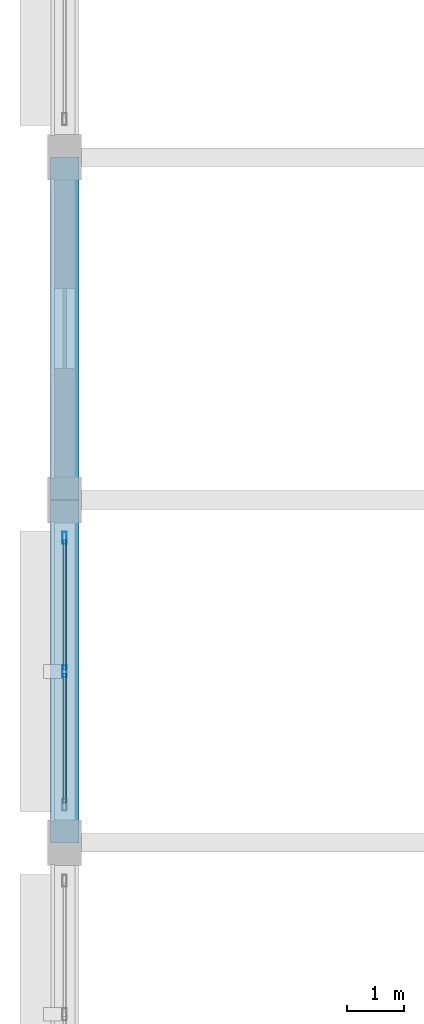
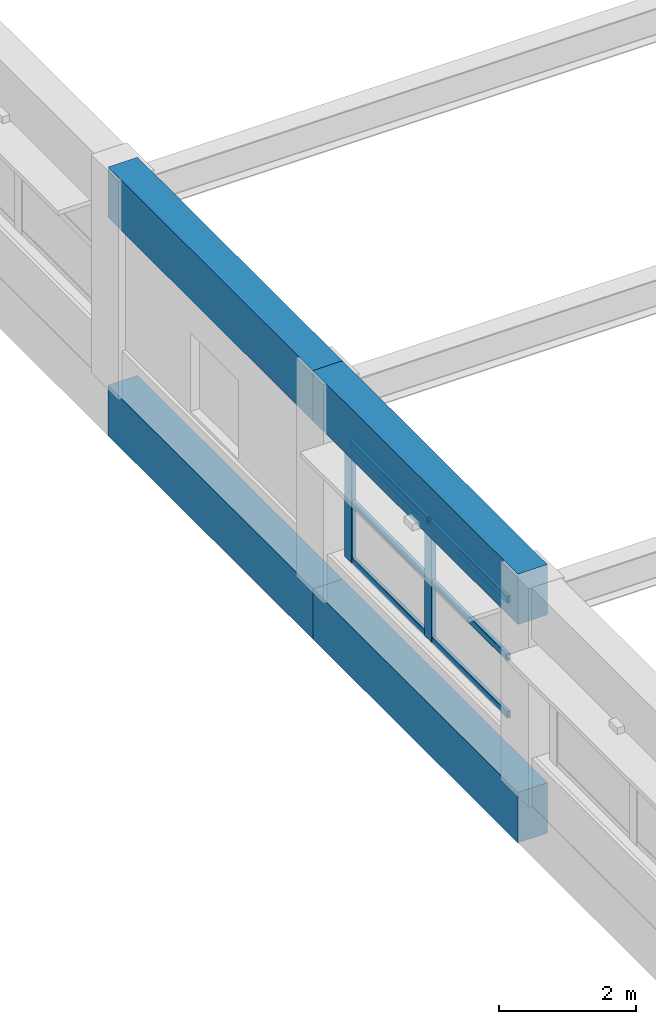
# One storey, part 10 of 108: 8 members, 4 beams, 1 element without a shape of its own.
"""IFC4 building model written with IfcOpenShell, lengths in metres."""

from ifc_helpers import new_model, si_unit, direction, frame, origin, origin_2d, place, context, subcontext, project, spatial, rectangle, hollow_rectangle, extrude, material, layer, layer_set, material_profile, profile_set, type_object, element, aggregate, save


model = new_model("IFC4")

# Units and contexts
model_context = context("Model", 3, precision=1e-05, world=origin(), true_north=direction((0.0, 1.0)))
body_context = subcontext(model_context, "Body", "Model", "MODEL_VIEW")
ifc_project = project(units=[si_unit("LENGTHUNIT", "METRE"), si_unit("AREAUNIT", "SQUARE_METRE"), si_unit("VOLUMEUNIT", "CUBIC_METRE"), si_unit("PLANEANGLEUNIT", "RADIAN"), si_unit("MASSUNIT", "GRAM", prefix="KILO")], contexts=[model_context])

# Site, building, storey
site_placement = place(None, origin())
site = spatial("IfcSite", under=ifc_project, at=site_placement, CompositionType="ELEMENT")
building_placement = place(site_placement, origin())
building = spatial("IfcBuilding", under=site, at=building_placement, Name="Vespera Passage Community Centre", CompositionType="ELEMENT")
storey_placement = place(building_placement, frame((0.0, 0.0, 12.60009765625)))
storey = spatial("IfcBuildingStorey", under=building, at=storey_placement, Name="L03", CompositionType="ELEMENT", Elevation=12.60009765625)

# Beams
ifc_material_1 = material(Name="Concrete f'c 45 MPa", Category="concrete")
ifc_material_profile_1 = material_profile(ifc_material_1, rectangle(XDim=0.5, YDim=0.89990234375, at=origin_2d()), Name="RC500X900")
ifc_profile_set_1 = profile_set([ifc_material_profile_1], Name="Concrete f'c 45 MPa")
beam_type = type_object("IfcBeamType", Name="BM-SP-500X900E", PredefinedType="SPANDREL", material=ifc_profile_set_1)
for number, where, z_axis, x_axis, name in (
    (1, (4.050048828125, 19.0, 3.449951171875), (0.0, 1.0, 0.0), (-1.0, 0.0, 0.0), "Main Hall Eave Ring Girder W3"),
    (2, (4.050048828125, 25.0, 3.449951171875), (0.0, 1.0, 0.0), (-1.0, 0.0, 0.0), "Main Hall Eave Ring Girder W4"),
    (3, (4.050048828125, 19.0, -0.4501953125), (0.0, 1.0, 0.0), (-1.0, 0.0, 0.0), "V1 L03 Spandrel W3"),
    (4, (4.050048828125, 25.0, -0.4501953125), (0.0, 1.0, 0.0), (-1.0, 0.0, 0.0), "V1 L03 Spandrel W4"),
):
    element("IfcBeam", number, at=place(storey_placement, frame(where, z_axis=z_axis, x_axis=x_axis)), inside=storey, type_object=beam_type, Name=name, PredefinedType="SPANDREL", context=body_context, shape_type="SweptSolid", body=[
        extrude(rectangle(XDim=0.5, YDim=0.89990234375, at=origin_2d()), origin(), (0.0, 0.0, 1.0), 6.0),
    ])

# Curtain wall, members
ifc_material_2 = material(Name="Anodized aluminium 6063-T6", Category="aluminium")
ifc_layer = layer(ifc_material_2, 0.159912109375)
ifc_layer_set = layer_set([ifc_layer], Name="Anodized aluminium 6063-T6")
curtain_wall_type = type_object("IfcCurtainWallType", Name="CW-86E", PredefinedType="NOTDEFINED", material=ifc_layer_set)
curtain_wall_placement = place(storey_placement, origin())
curtain_wall = element("IfcCurtainWall", 5, at=curtain_wall_placement, inside=storey, type_object=curtain_wall_type, Name="Main Hall Acoustic Curtain Wall L03 W3", PredefinedType="NOTDEFINED")
ifc_material_3 = material(Name="Anodized aluminium 6063-T6", Category="aluminium")
ifc_material_profile_2 = material_profile(ifc_material_3, hollow_rectangle(XDim=0.074951171875, YDim=0.2099609375, WallThickness=0.0048828125, InnerFilletRadius=0.00244140625, OuterFilletRadius=0.0048828125, at=origin_2d()), Name="ALU210X75X5")
ifc_profile_set_2 = profile_set([ifc_material_profile_2], Name="Anodized aluminium 6063-T6")
member_type_1 = type_object("IfcMemberType", Name="MB-CWM-210E", PredefinedType="MULLION", material=ifc_profile_set_2)
member_1_placement = place(storey_placement, frame((4.050048828125, 22.0, 0.849853515625), z_axis=(0.0, 0.0, 1.0), x_axis=(-1.0, 0.0, 0.0)))
member_1 = element("IfcMember", 6, at=member_1_placement, type_object=member_type_1, Name="CW-86E mullion 2", PredefinedType="MULLION", context=body_context, shape_type="SweptSolid", body=[
    extrude(hollow_rectangle(XDim=0.074951171875, YDim=0.2099609375, WallThickness=0.0048828125, InnerFilletRadius=0.00244140625, OuterFilletRadius=0.0048828125, at=origin_2d()), origin(), (0.0, 0.0, 1.0), 2.114990234375),
])
member_2_placement = place(storey_placement, frame((4.050048828125, 24.33740234375, 0.849853515625), z_axis=(0.0, 0.0, 1.0), x_axis=(-1.0, 0.0, 0.0)))
member_2 = element("IfcMember", 7, at=member_2_placement, type_object=member_type_1, Name="CW-86E mullion 3", PredefinedType="MULLION", context=body_context, shape_type="SweptSolid", body=[
    extrude(hollow_rectangle(XDim=0.074951171875, YDim=0.2099609375, WallThickness=0.0048828125, InnerFilletRadius=0.00244140625, OuterFilletRadius=0.0048828125, at=origin_2d()), origin(), (0.0, 0.0, 1.0), 2.114990234375),
])
ifc_material_4 = material(Name="Anodized aluminium 6063-T6", Category="aluminium")
ifc_material_profile_3 = material_profile(ifc_material_4, hollow_rectangle(XDim=0.06005859375, YDim=0.1201171875, WallThickness=0.00390625, InnerFilletRadius=0.001953125, OuterFilletRadius=0.00390625, at=origin_2d()), Name="ALU120X60X4")
ifc_profile_set_3 = profile_set([ifc_material_profile_3], Name="Anodized aluminium 6063-T6")
member_type_2 = type_object("IfcMemberType", Name="MB-CWT-120E", PredefinedType="USERDEFINED", material=ifc_profile_set_3)
member_3_placement = place(storey_placement, frame((4.050048828125, 19.699951171875, 0.8798828125), z_axis=(0.0, 1.0, 0.0), x_axis=(-1.0, 0.0, 0.0)))
member_3 = element("IfcMember", 8, at=member_3_placement, type_object=member_type_2, Name="CW-86E transom 1.1", ObjectType="TRANSOM", PredefinedType="USERDEFINED", context=body_context, shape_type="SweptSolid", body=[
    extrude(hollow_rectangle(XDim=0.06005859375, YDim=0.1201171875, WallThickness=0.00390625, InnerFilletRadius=0.001953125, OuterFilletRadius=0.00390625, at=origin_2d()), origin(), (0.0, 0.0, 1.0), 2.262451171875),
])
member_4_placement = place(storey_placement, frame((4.050048828125, 19.699951171875, 1.907470703125), z_axis=(0.0, 1.0, 0.0), x_axis=(-1.0, 0.0, 0.0)))
member_4 = element("IfcMember", 9, at=member_4_placement, type_object=member_type_2, Name="CW-86E transom 1.2", ObjectType="TRANSOM", PredefinedType="USERDEFINED", context=body_context, shape_type="SweptSolid", body=[
    extrude(hollow_rectangle(XDim=0.06005859375, YDim=0.1201171875, WallThickness=0.00390625, InnerFilletRadius=0.001953125, OuterFilletRadius=0.00390625, at=origin_2d()), origin(), (0.0, 0.0, 1.0), 2.262451171875),
])
member_5_placement = place(storey_placement, frame((4.050048828125, 19.699951171875, 2.934814453125), z_axis=(0.0, 1.0, 0.0), x_axis=(-1.0, 0.0, 0.0)))
member_5 = element("IfcMember", 10, at=member_5_placement, type_object=member_type_2, Name="CW-86E transom 1.3", ObjectType="TRANSOM", PredefinedType="USERDEFINED", context=body_context, shape_type="SweptSolid", body=[
    extrude(hollow_rectangle(XDim=0.06005859375, YDim=0.1201171875, WallThickness=0.00390625, InnerFilletRadius=0.001953125, OuterFilletRadius=0.00390625, at=origin_2d()), origin(), (0.0, 0.0, 1.0), 2.262451171875),
])
member_6_placement = place(storey_placement, frame((4.050048828125, 22.03759765625, 0.8798828125), z_axis=(0.0, 1.0, 0.0), x_axis=(-1.0, 0.0, 0.0)))
member_6 = element("IfcMember", 11, at=member_6_placement, type_object=member_type_2, Name="CW-86E transom 2.1", ObjectType="TRANSOM", PredefinedType="USERDEFINED", context=body_context, shape_type="SweptSolid", body=[
    extrude(hollow_rectangle(XDim=0.06005859375, YDim=0.1201171875, WallThickness=0.00390625, InnerFilletRadius=0.001953125, OuterFilletRadius=0.00390625, at=origin_2d()), origin(), (0.0, 0.0, 1.0), 2.262451171875),
])
member_7_placement = place(storey_placement, frame((4.050048828125, 22.03759765625, 1.907470703125), z_axis=(0.0, 1.0, 0.0), x_axis=(-1.0, 0.0, 0.0)))
member_7 = element("IfcMember", 12, at=member_7_placement, type_object=member_type_2, Name="CW-86E transom 2.2", ObjectType="TRANSOM", PredefinedType="USERDEFINED", context=body_context, shape_type="SweptSolid", body=[
    extrude(hollow_rectangle(XDim=0.06005859375, YDim=0.1201171875, WallThickness=0.00390625, InnerFilletRadius=0.001953125, OuterFilletRadius=0.00390625, at=origin_2d()), origin(), (0.0, 0.0, 1.0), 2.262451171875),
])
member_8_placement = place(storey_placement, frame((4.050048828125, 22.03759765625, 2.934814453125), z_axis=(0.0, 1.0, 0.0), x_axis=(-1.0, 0.0, 0.0)))
member_8 = element("IfcMember", 13, at=member_8_placement, type_object=member_type_2, Name="CW-86E transom 2.3", ObjectType="TRANSOM", PredefinedType="USERDEFINED", context=body_context, shape_type="SweptSolid", body=[
    extrude(hollow_rectangle(XDim=0.06005859375, YDim=0.1201171875, WallThickness=0.00390625, InnerFilletRadius=0.001953125, OuterFilletRadius=0.00390625, at=origin_2d()), origin(), (0.0, 0.0, 1.0), 2.262451171875),
])
aggregate(curtain_wall, [member_1, member_2, member_3, member_4, member_5, member_6, member_7, member_8])

save(model, "model.ifc")
